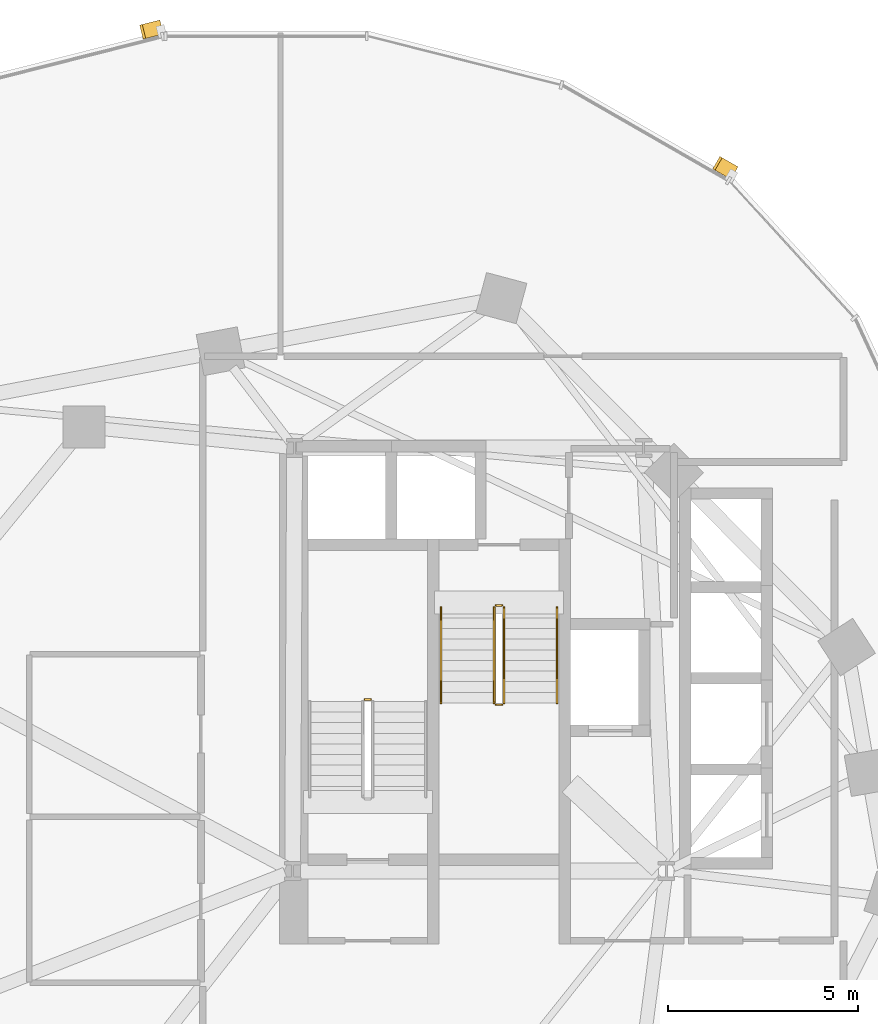
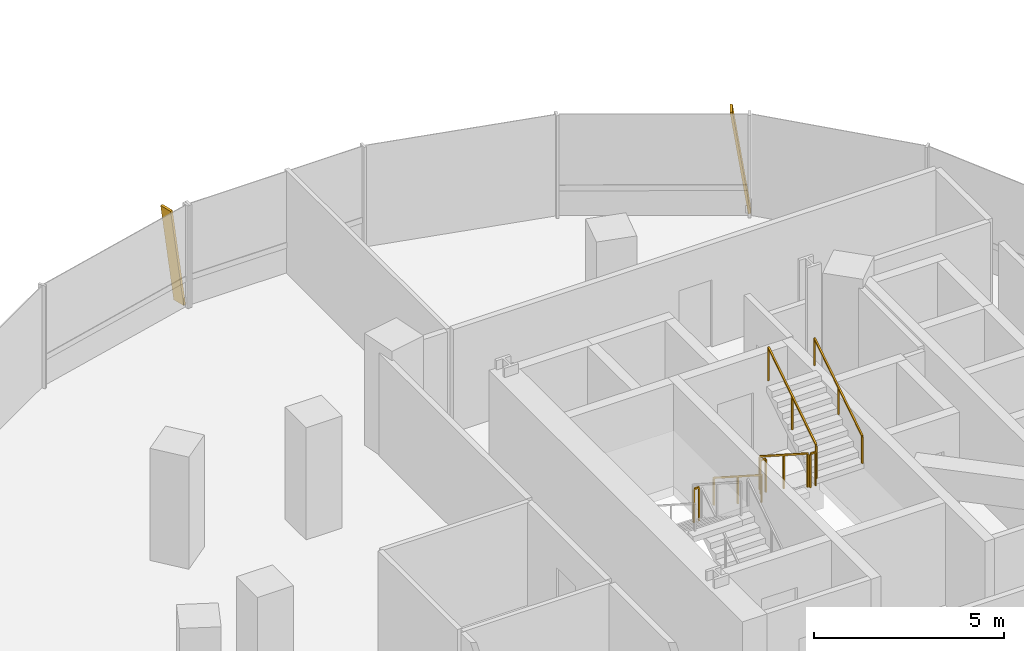
# One storey, part 18 of 20: 7 railings, 2 shading devices.
"""IFC4 building model written with IfcOpenShell, lengths in metres."""

from ifc_helpers import new_model, si_unit, direction, frame, origin, origin_2d, place, context, subcontext, project, spatial, rectangle, extrude, material, material_profile, profile_set, type_object, element, save


model = new_model("IFC4")

# Units and contexts
model_context = context("Model", 3, precision=1e-05, world=origin(), true_north=direction((0.0, 1.0)))
body_context = subcontext(model_context, "Body", "Model", "MODEL_VIEW")
ifc_project = project(units=[si_unit("LENGTHUNIT", "METRE"), si_unit("AREAUNIT", "SQUARE_METRE"), si_unit("VOLUMEUNIT", "CUBIC_METRE"), si_unit("PLANEANGLEUNIT", "RADIAN"), si_unit("MASSUNIT", "GRAM", prefix="KILO"), si_unit("THERMODYNAMICTEMPERATUREUNIT", "KELVIN"), si_unit("POWERUNIT", "WATT")], contexts=[model_context])

# Site, building, storey
site_placement = place(None, origin())
site = spatial("IfcSite", under=ifc_project, at=site_placement, CompositionType="ELEMENT")
building_placement = place(site_placement, origin())
building = spatial("IfcBuilding", under=site, at=building_placement, Name="Cundina Bronze Exchange", CompositionType="ELEMENT")
storey_placement = place(building_placement, frame((0.0, 0.0, 125.0)))
storey = spatial("IfcBuildingStorey", under=building, at=storey_placement, Name="L32", CompositionType="ELEMENT", Elevation=125.0)

# Railings
ifc_material_1 = material(Name="Steel ASTM A36 Painted", Category="steel")
railing_type_1 = type_object("IfcRailingType", Name="RLG-HND-900", PredefinedType="HANDRAIL", material=ifc_material_1)
railing_1_placement = place(storey_placement, frame((-27.389892578125, 10.85009765625, 0.179931640625)))
element("IfcRailing", 1, at=railing_1_placement, inside=storey, type_object=railing_type_1, Name="L32 ST-W2 stair handrail 1", PredefinedType="HANDRAIL", context=body_context, shape_type="SweptSolid", body=[
    extrude(rectangle(XDim=0.048095703125, YDim=0.048095703125, at=origin_2d()), frame((0.0, 0.0, 0.8759765625), z_axis=(0.0, -0.841162588446, 0.540782303519), x_axis=(1.0, 0.0, 0.0)), (0.0, 0.0, 1.0), 2.995849609375),
    extrude(rectangle(XDim=0.0419921875, YDim=0.0419921875, at=origin_2d()), origin(), (0.0, 0.0, 1.0), 0.851806640625),
    extrude(rectangle(XDim=0.0419921875, YDim=0.0419921875, at=origin_2d()), frame((0.0, -1.260009765625, 0.81005859375)), (0.0, 0.0, 1.0), 0.851806640625),
    extrude(rectangle(XDim=0.0419921875, YDim=0.0419921875, at=origin_2d()), frame((0.0, -2.52001953125, 1.6201171875)), (0.0, 0.0, 1.0), 0.851806640625),
])
railing_2_placement = place(storey_placement, frame((-24.330078125, 8.330078125, 1.97998046875)))
element("IfcRailing", 2, at=railing_2_placement, inside=storey, type_object=railing_type_1, Name="L32 ST-W2 stair handrail 2", PredefinedType="HANDRAIL", context=body_context, shape_type="SweptSolid", body=[
    extrude(rectangle(XDim=0.048095703125, YDim=0.048095703125, at=origin_2d()), frame((0.0, 0.0, 0.8759765625), z_axis=(0.0, 0.841162588446, 0.540782303519), x_axis=(-1.0, 0.0, 0.0)), (0.0, 0.0, 1.0), 2.995849609375),
    extrude(rectangle(XDim=0.0419921875, YDim=0.0419921875, at=origin_2d()), origin(), (0.0, 0.0, 1.0), 0.851806640625),
    extrude(rectangle(XDim=0.0419921875, YDim=0.0419921875, at=origin_2d()), frame((0.0, 1.260009765625, 0.81005859375)), (0.0, 0.0, 1.0), 0.851806640625),
    extrude(rectangle(XDim=0.0419921875, YDim=0.0419921875, at=origin_2d()), frame((0.0, 2.52001953125, 1.6201171875)), (0.0, 0.0, 1.0), 0.851806640625),
])
railing_type_2 = type_object("IfcRailingType", Name="RLG-STG-1100", PredefinedType="GUARDRAIL", material=ifc_material_1)
railing_3_placement = place(storey_placement, frame((-29.239990234375, 8.419921875, 1.800048828125)))
element("IfcRailing", 3, at=railing_3_placement, inside=storey, type_object=railing_type_2, Name="L32 ST-W1 stair guard 2", PredefinedType="GUARDRAIL", context=body_context, shape_type="SweptSolid", body=[
    extrude(rectangle(XDim=0.048095703125, YDim=0.048095703125, at=origin_2d()), frame((0.0, 0.0, 1.076171875), z_axis=(-1.0, 0.0, 0.0), x_axis=(0.0, -1.0, 0.0)), (0.0, 0.0, 1.0), 0.159912109375),
    extrude(rectangle(XDim=0.0419921875, YDim=0.0419921875, at=origin_2d()), origin(), (0.0, 0.0, 1.0), 1.052001953125),
    extrude(rectangle(XDim=0.0419921875, YDim=0.0419921875, at=origin_2d()), frame((-0.159912109375, 0.0, 0.0)), (0.0, 0.0, 1.0), 1.052001953125),
])
railing_4_placement = place(storey_placement, frame((-25.989990234375, 10.85009765625, 0.179931640625)))
element("IfcRailing", 4, at=railing_4_placement, inside=storey, type_object=railing_type_2, Name="L32 ST-W2 stair guard 1", PredefinedType="GUARDRAIL", context=body_context, shape_type="SweptSolid", body=[
    extrude(rectangle(XDim=0.048095703125, YDim=0.048095703125, at=origin_2d()), frame((0.0, 0.0, 1.076171875), z_axis=(0.0, -0.841162588446, 0.540782303519), x_axis=(1.0, 0.0, 0.0)), (0.0, 0.0, 1.0), 2.995849609375),
    extrude(rectangle(XDim=0.0419921875, YDim=0.0419921875, at=origin_2d()), origin(), (0.0, 0.0, 1.0), 1.052001953125),
    extrude(rectangle(XDim=0.0419921875, YDim=0.0419921875, at=origin_2d()), frame((0.0, -1.260009765625, 0.81005859375)), (0.0, 0.0, 1.0), 1.052001953125),
    extrude(rectangle(XDim=0.0419921875, YDim=0.0419921875, at=origin_2d()), frame((0.0, -2.52001953125, 1.6201171875)), (0.0, 0.0, 1.0), 1.052001953125),
])
railing_5_placement = place(storey_placement, frame((-25.93994140625, 8.280029296875, 1.800048828125)))
element("IfcRailing", 5, at=railing_5_placement, inside=storey, type_object=railing_type_2, Name="L32 ST-W2 stair guard 2", PredefinedType="GUARDRAIL", context=body_context, shape_type="SweptSolid", body=[
    extrude(rectangle(XDim=0.048095703125, YDim=0.048095703125, at=origin_2d()), frame((0.0, 0.0, 1.076171875), z_axis=(1.0, 0.0, 0.0), x_axis=(0.0, 1.0, 0.0)), (0.0, 0.0, 1.0), 0.159912109375),
    extrude(rectangle(XDim=0.0419921875, YDim=0.0419921875, at=origin_2d()), origin(), (0.0, 0.0, 1.0), 1.052001953125),
    extrude(rectangle(XDim=0.0419921875, YDim=0.0419921875, at=origin_2d()), frame((0.159912109375, 0.0, 0.0)), (0.0, 0.0, 1.0), 1.052001953125),
])
railing_6_placement = place(storey_placement, frame((-25.72998046875, 8.330078125, 1.97998046875)))
element("IfcRailing", 6, at=railing_6_placement, inside=storey, type_object=railing_type_2, Name="L32 ST-W2 stair guard 3", PredefinedType="GUARDRAIL", context=body_context, shape_type="SweptSolid", body=[
    extrude(rectangle(XDim=0.048095703125, YDim=0.048095703125, at=origin_2d()), frame((0.0, 0.0, 1.076171875), z_axis=(0.0, 0.841162588446, 0.540782303519), x_axis=(-1.0, 0.0, 0.0)), (0.0, 0.0, 1.0), 2.995849609375),
    extrude(rectangle(XDim=0.0419921875, YDim=0.0419921875, at=origin_2d()), origin(), (0.0, 0.0, 1.0), 1.052001953125),
    extrude(rectangle(XDim=0.0419921875, YDim=0.0419921875, at=origin_2d()), frame((0.0, 1.260009765625, 0.81005859375)), (0.0, 0.0, 1.0), 1.052001953125),
    extrude(rectangle(XDim=0.0419921875, YDim=0.0419921875, at=origin_2d()), frame((0.0, 2.52001953125, 1.6201171875)), (0.0, 0.0, 1.0), 1.052001953125),
])
railing_7_placement = place(storey_placement, frame((-25.93994140625, 10.89990234375, 0.0)))
element("IfcRailing", 7, at=railing_7_placement, inside=storey, type_object=railing_type_2, Name="L32 ST-W2 stair guard 4", PredefinedType="GUARDRAIL", context=body_context, shape_type="SweptSolid", body=[
    extrude(rectangle(XDim=0.048095703125, YDim=0.048095703125, at=origin_2d()), frame((0.0, 0.0, 1.076171875), z_axis=(1.0, 0.0, 0.0), x_axis=(0.0, 1.0, 0.0)), (0.0, 0.0, 1.0), 0.159912109375),
    extrude(rectangle(XDim=0.0419921875, YDim=0.0419921875, at=origin_2d()), origin(), (0.0, 0.0, 1.0), 1.052001953125),
    extrude(rectangle(XDim=0.0419921875, YDim=0.0419921875, at=origin_2d()), frame((0.159912109375, 0.0, 0.0)), (0.0, 0.0, 1.0), 1.052001953125),
])

# Shading devices
ifc_material_2 = material(Name="Anodised Bronze Aluminium 6063-T6", Category="aluminium")
ifc_material_profile = material_profile(ifc_material_2, rectangle(XDim=0.070068359375, YDim=0.3798828125, at=origin_2d()), Name="FIN70X380", Category="aluminium")
ifc_profile_set = profile_set([ifc_material_profile], Name="Anodised Bronze Aluminium 6063-T6")
shading_device_type = type_object("IfcShadingDeviceType", Name="SHD-FIN-BRZ380", PredefinedType="USERDEFINED", material=ifc_profile_set)
for number, where, z_axis, x_axis, name in (
    (8, (-19.685791015625, 22.314208984375, 0.02001953125), (-0.126324692219, 0.072534823274, 0.989333498649), (0.857958278167, -0.492634108109, 0.145668213594), "L32 Diagonal Bronze Solar Fin 5"),
    (9, (-34.787353515625, 26.138427734375, 0.02001953125), (-0.141217047268, -0.035711761166, 0.989334329575), (0.95914051701, 0.242552848478, 0.145662570088), "L32 Diagonal Bronze Solar Fin 1"),
):
    element("IfcShadingDevice", number, at=place(storey_placement, frame(where, z_axis=z_axis, x_axis=x_axis)), inside=storey, type_object=shading_device_type, Name=name, ObjectType="FIN", PredefinedType="USERDEFINED", context=body_context, shape_type="SweptSolid", body=[
        extrude(rectangle(XDim=0.070068359375, YDim=0.3798828125, at=origin_2d()), origin(), (0.0, 0.0, 1.0), 3.295166015625),
    ])

save(model, "model.ifc")
